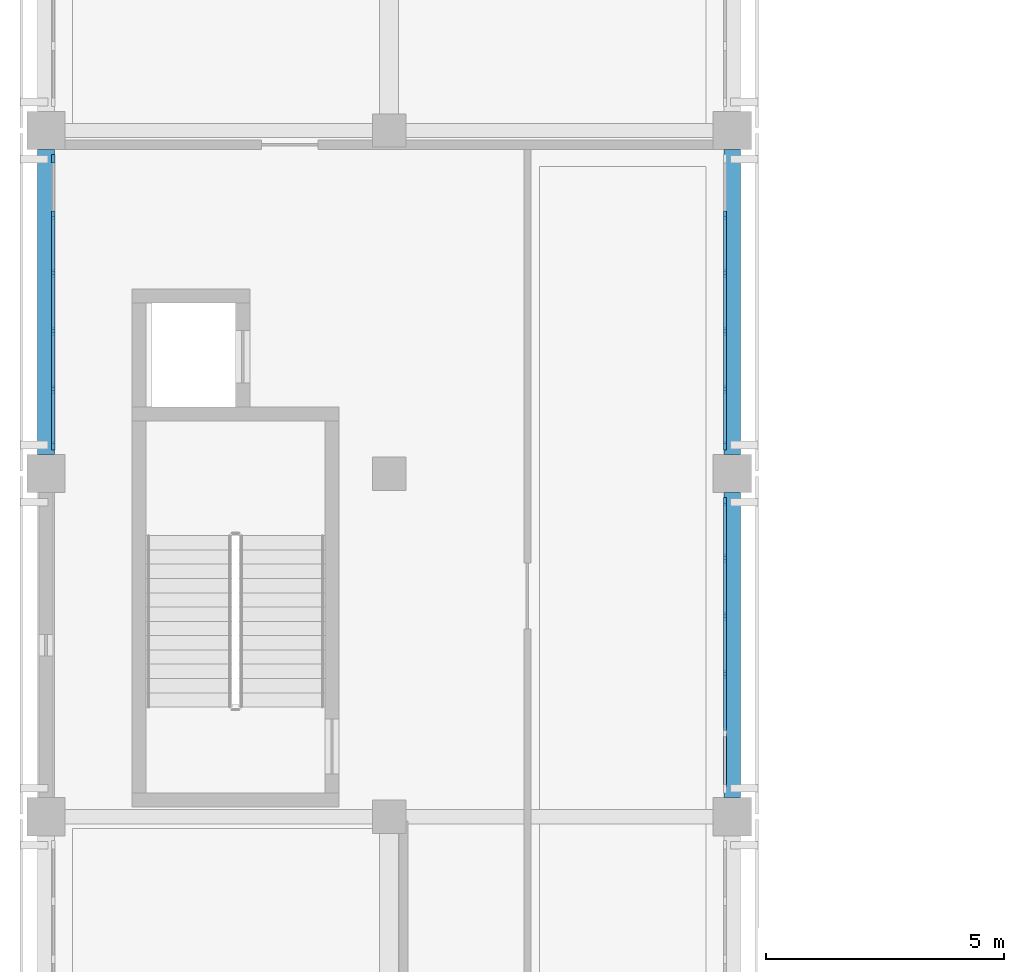
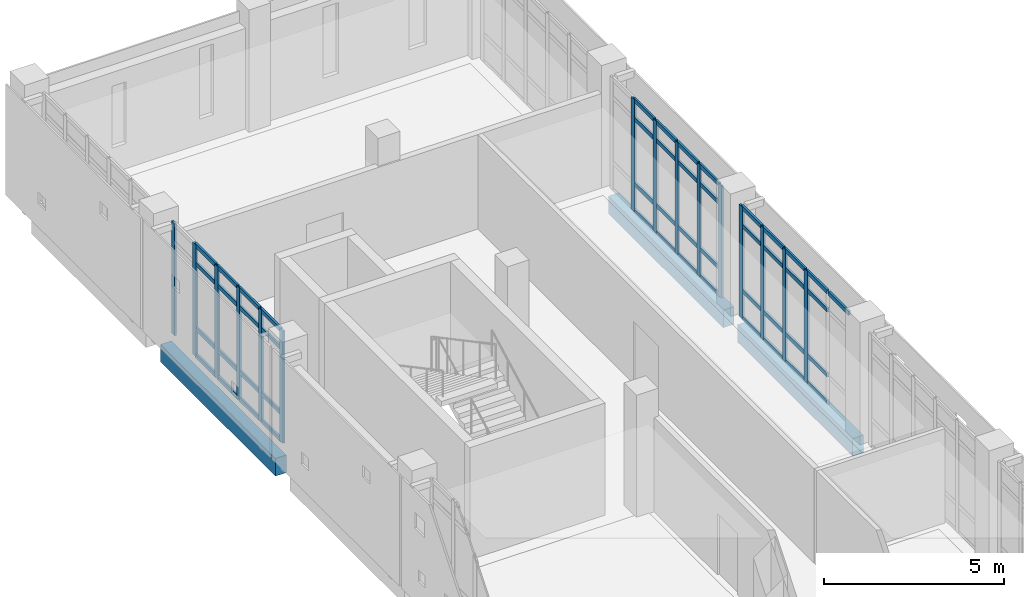
# One storey, part 13 of 33: 64 members, 3 beams, 3 elements without a shape of their own.
"""IFC4 building model written with IfcOpenShell, lengths in metres."""

from ifc_helpers import new_model, si_unit, direction, frame, origin, origin_2d, place, context, subcontext, project, spatial, rectangle, extrude, material, layer, layer_set, material_profile, profile_set, type_object, element, aggregate, save


model = new_model("IFC4")

# Units and contexts
model_context = context("Model", 3, precision=1e-05, world=origin(), true_north=direction((0.0, 1.0)))
body_context = subcontext(model_context, "Body", "Model", "MODEL_VIEW")
ifc_project = project(units=[si_unit("LENGTHUNIT", "METRE"), si_unit("AREAUNIT", "SQUARE_METRE"), si_unit("VOLUMEUNIT", "CUBIC_METRE"), si_unit("PLANEANGLEUNIT", "RADIAN"), si_unit("MASSUNIT", "GRAM", prefix="KILO")], contexts=[model_context])

# Site, building, storey
site_placement = place(None, origin())
site = spatial("IfcSite", under=ifc_project, at=site_placement, CompositionType="ELEMENT")
building_placement = place(site_placement, origin())
building = spatial("IfcBuilding", under=site, at=building_placement, Name="Valkovuoma Quantum and Materials Research Institute", CompositionType="ELEMENT")
storey_placement = place(building_placement, frame((0.0, 0.0, 25.60009765625)))
storey = spatial("IfcBuildingStorey", under=building, at=storey_placement, Name="L06", CompositionType="ELEMENT", Elevation=25.60009765625)

# Beams
ifc_material_1 = material(Name="Concrete C40/50", Category="concrete")
ifc_material_profile_1 = material_profile(ifc_material_1, rectangle(XDim=0.35009765625, YDim=0.60009765625, at=origin_2d()), Name="Concrete C40/50")
ifc_profile_set_1 = profile_set([ifc_material_profile_1], Name="Concrete C40/50")
beam_type = type_object("IfcBeamType", Name="Beam-B-SPN600", PredefinedType="SPANDREL", material=ifc_profile_set_1)
beam_1_placement = place(storey_placement, frame((0.0, 79.60009765625, -0.650146484375), z_axis=(0.0, 1.0, 0.0), x_axis=(-1.0, 0.0, 0.0)))
element("IfcBeam", 1, at=beam_1_placement, inside=storey, type_object=beam_type, Name="L06 beam Y-2387", PredefinedType="SPANDREL", context=body_context, shape_type="SweptSolid", body=[
    extrude(rectangle(XDim=0.35009765625, YDim=0.60009765625, at=origin_2d()), origin(), (0.0, 0.0, 1.0), 6.39990234375),
])
beam_2_placement = place(storey_placement, frame((14.39990234375, 72.39990234375, -0.650146484375), z_axis=(0.0, 1.0, 0.0), x_axis=(-1.0, 0.0, 0.0)))
element("IfcBeam", 2, at=beam_2_placement, inside=storey, type_object=beam_type, Name="L06 beam Y-2394", PredefinedType="SPANDREL", context=body_context, shape_type="SweptSolid", body=[
    extrude(rectangle(XDim=0.35009765625, YDim=0.60009765625, at=origin_2d()), origin(), (0.0, 0.0, 1.0), 6.400146484375),
])
beam_3_placement = place(storey_placement, frame((14.39990234375, 79.60009765625, -0.650146484375), z_axis=(0.0, 1.0, 0.0), x_axis=(-1.0, 0.0, 0.0)))
element("IfcBeam", 3, at=beam_3_placement, inside=storey, type_object=beam_type, Name="L06 beam Y-2395", PredefinedType="SPANDREL", context=body_context, shape_type="SweptSolid", body=[
    extrude(rectangle(XDim=0.35009765625, YDim=0.60009765625, at=origin_2d()), origin(), (0.0, 0.0, 1.0), 6.39990234375),
])

# Curtain wall, members
ifc_material_2 = material(Name="Thermally broken aluminium and triple low-E glazing", Category="aluminium")
ifc_layer = layer(ifc_material_2, 0.219970703125)
ifc_layer_set = layer_set([ifc_layer], Name="Thermally broken aluminium and triple low-E glazing")
curtain_wall_type = type_object("IfcCurtainWallType", Name="CW-CW-01", PredefinedType="NOTDEFINED", material=ifc_layer_set)
curtain_wall_1_placement = place(storey_placement, origin())
curtain_wall_1 = element("IfcCurtainWall", 4, at=curtain_wall_1_placement, inside=storey, type_object=curtain_wall_type, Name="L06 curtain wall 086", PredefinedType="NOTDEFINED")
ifc_material_3 = material(Name="Anodised aluminium 6060-T66", Category="aluminium")
ifc_material_profile_2 = material_profile(ifc_material_3, rectangle(XDim=0.06494140625, YDim=0.179931640625, at=origin_2d()), Name="Anodised aluminium 6060-T66")
ifc_profile_set_2 = profile_set([ifc_material_profile_2], Name="Anodised aluminium 6060-T66")
member_type_1 = type_object("IfcMemberType", Name="CWMull-CWM-01", PredefinedType="MULLION", material=ifc_profile_set_2)
member_1_placement = place(storey_placement, frame((14.25, 74.991455078125, 0.0), z_axis=(0.0, 0.0, 1.0), x_axis=(-1.0, 0.0, 0.0)))
member_1 = element("IfcMember", 5, at=member_1_placement, type_object=member_type_1, Name="CW-01 mullion 3", PredefinedType="MULLION", context=body_context, shape_type="SweptSolid", body=[
    extrude(rectangle(XDim=0.06494140625, YDim=0.179931640625, at=origin_2d()), origin(), (0.0, 0.0, 1.0), 3.809814453125),
])
member_2_placement = place(storey_placement, frame((14.25, 76.20849609375, 0.0), z_axis=(0.0, 0.0, 1.0), x_axis=(-1.0, 0.0, 0.0)))
member_2 = element("IfcMember", 6, at=member_2_placement, type_object=member_type_1, Name="CW-01 mullion 4", PredefinedType="MULLION", context=body_context, shape_type="SweptSolid", body=[
    extrude(rectangle(XDim=0.06494140625, YDim=0.179931640625, at=origin_2d()), origin(), (0.0, 0.0, 1.0), 3.809814453125),
])
member_3_placement = place(storey_placement, frame((14.25, 77.42578125, 0.0), z_axis=(0.0, 0.0, 1.0), x_axis=(-1.0, 0.0, 0.0)))
member_3 = element("IfcMember", 7, at=member_3_placement, type_object=member_type_1, Name="CW-01 mullion 5", PredefinedType="MULLION", context=body_context, shape_type="SweptSolid", body=[
    extrude(rectangle(XDim=0.06494140625, YDim=0.179931640625, at=origin_2d()), origin(), (0.0, 0.0, 1.0), 3.809814453125),
])
member_4_placement = place(storey_placement, frame((14.25, 78.6103515625, 0.0), z_axis=(0.0, 0.0, 1.0), x_axis=(-1.0, 0.0, 0.0)))
member_4 = element("IfcMember", 8, at=member_4_placement, type_object=member_type_1, Name="CW-01 mullion 6", PredefinedType="MULLION", context=body_context, shape_type="SweptSolid", body=[
    extrude(rectangle(XDim=0.06494140625, YDim=0.179931640625, at=origin_2d()), origin(), (0.0, 0.0, 1.0), 3.809814453125),
])

curtain_wall_2_placement = place(storey_placement, origin())
curtain_wall_2 = element("IfcCurtainWall", 9, at=curtain_wall_2_placement, inside=storey, type_object=curtain_wall_type, Name="L06 curtain wall 087", PredefinedType="NOTDEFINED")
member_5_placement = place(storey_placement, frame((0.14990234375, 79.78955078125, 0.0), z_axis=(0.0, 0.0, 1.0), x_axis=(-1.0, 0.0, 0.0)))
member_5 = element("IfcMember", 10, at=member_5_placement, type_object=member_type_1, Name="CW-01 mullion 1", PredefinedType="MULLION", context=body_context, shape_type="SweptSolid", body=[
    extrude(rectangle(XDim=0.06494140625, YDim=0.179931640625, at=origin_2d()), origin(), (0.0, 0.0, 1.0), 3.809814453125),
])
member_6_placement = place(storey_placement, frame((0.14990234375, 80.974365234375, 0.0), z_axis=(0.0, 0.0, 1.0), x_axis=(-1.0, 0.0, 0.0)))
member_6 = element("IfcMember", 11, at=member_6_placement, type_object=member_type_1, Name="CW-01 mullion 2", PredefinedType="MULLION", context=body_context, shape_type="SweptSolid", body=[
    extrude(rectangle(XDim=0.06494140625, YDim=0.179931640625, at=origin_2d()), origin(), (0.0, 0.0, 1.0), 3.809814453125),
])
member_7_placement = place(storey_placement, frame((0.14990234375, 82.19140625, 0.0), z_axis=(0.0, 0.0, 1.0), x_axis=(-1.0, 0.0, 0.0)))
member_7 = element("IfcMember", 12, at=member_7_placement, type_object=member_type_1, Name="CW-01 mullion 3", PredefinedType="MULLION", context=body_context, shape_type="SweptSolid", body=[
    extrude(rectangle(XDim=0.06494140625, YDim=0.179931640625, at=origin_2d()), origin(), (0.0, 0.0, 1.0), 3.809814453125),
])
member_8_placement = place(storey_placement, frame((0.14990234375, 83.40869140625, 0.0), z_axis=(0.0, 0.0, 1.0), x_axis=(-1.0, 0.0, 0.0)))
member_8 = element("IfcMember", 13, at=member_8_placement, type_object=member_type_1, Name="CW-01 mullion 4", PredefinedType="MULLION", context=body_context, shape_type="SweptSolid", body=[
    extrude(rectangle(XDim=0.06494140625, YDim=0.179931640625, at=origin_2d()), origin(), (0.0, 0.0, 1.0), 3.809814453125),
])
member_9_placement = place(storey_placement, frame((0.14990234375, 84.625732421875, 0.0), z_axis=(0.0, 0.0, 1.0), x_axis=(-1.0, 0.0, 0.0)))
member_9 = element("IfcMember", 14, at=member_9_placement, type_object=member_type_1, Name="CW-01 mullion 5", PredefinedType="MULLION", context=body_context, shape_type="SweptSolid", body=[
    extrude(rectangle(XDim=0.06494140625, YDim=0.179931640625, at=origin_2d()), origin(), (0.0, 0.0, 1.0), 3.809814453125),
])
member_10_placement = place(storey_placement, frame((0.14990234375, 85.810302734375, 0.0), z_axis=(0.0, 0.0, 1.0), x_axis=(-1.0, 0.0, 0.0)))
member_10 = element("IfcMember", 15, at=member_10_placement, type_object=member_type_1, Name="CW-01 mullion 6", PredefinedType="MULLION", context=body_context, shape_type="SweptSolid", body=[
    extrude(rectangle(XDim=0.06494140625, YDim=0.179931640625, at=origin_2d()), origin(), (0.0, 0.0, 1.0), 3.809814453125),
])

curtain_wall_3_placement = place(storey_placement, origin())
curtain_wall_3 = element("IfcCurtainWall", 16, at=curtain_wall_3_placement, inside=storey, type_object=curtain_wall_type, Name="L06 curtain wall 088", PredefinedType="NOTDEFINED")
member_11_placement = place(storey_placement, frame((14.25, 79.78955078125, 0.0), z_axis=(0.0, 0.0, 1.0), x_axis=(-1.0, 0.0, 0.0)))
member_11 = element("IfcMember", 17, at=member_11_placement, type_object=member_type_1, Name="CW-01 mullion 1", PredefinedType="MULLION", context=body_context, shape_type="SweptSolid", body=[
    extrude(rectangle(XDim=0.06494140625, YDim=0.179931640625, at=origin_2d()), origin(), (0.0, 0.0, 1.0), 3.809814453125),
])
member_12_placement = place(storey_placement, frame((14.25, 80.974365234375, 0.0), z_axis=(0.0, 0.0, 1.0), x_axis=(-1.0, 0.0, 0.0)))
member_12 = element("IfcMember", 18, at=member_12_placement, type_object=member_type_1, Name="CW-01 mullion 2", PredefinedType="MULLION", context=body_context, shape_type="SweptSolid", body=[
    extrude(rectangle(XDim=0.06494140625, YDim=0.179931640625, at=origin_2d()), origin(), (0.0, 0.0, 1.0), 3.809814453125),
])
member_13_placement = place(storey_placement, frame((14.25, 82.19140625, 0.0), z_axis=(0.0, 0.0, 1.0), x_axis=(-1.0, 0.0, 0.0)))
member_13 = element("IfcMember", 19, at=member_13_placement, type_object=member_type_1, Name="CW-01 mullion 3", PredefinedType="MULLION", context=body_context, shape_type="SweptSolid", body=[
    extrude(rectangle(XDim=0.06494140625, YDim=0.179931640625, at=origin_2d()), origin(), (0.0, 0.0, 1.0), 3.809814453125),
])
member_14_placement = place(storey_placement, frame((14.25, 83.40869140625, 0.0), z_axis=(0.0, 0.0, 1.0), x_axis=(-1.0, 0.0, 0.0)))
member_14 = element("IfcMember", 20, at=member_14_placement, type_object=member_type_1, Name="CW-01 mullion 4", PredefinedType="MULLION", context=body_context, shape_type="SweptSolid", body=[
    extrude(rectangle(XDim=0.06494140625, YDim=0.179931640625, at=origin_2d()), origin(), (0.0, 0.0, 1.0), 3.809814453125),
])
member_15_placement = place(storey_placement, frame((14.25, 84.625732421875, 0.0), z_axis=(0.0, 0.0, 1.0), x_axis=(-1.0, 0.0, 0.0)))
member_15 = element("IfcMember", 21, at=member_15_placement, type_object=member_type_1, Name="CW-01 mullion 5", PredefinedType="MULLION", context=body_context, shape_type="SweptSolid", body=[
    extrude(rectangle(XDim=0.06494140625, YDim=0.179931640625, at=origin_2d()), origin(), (0.0, 0.0, 1.0), 3.809814453125),
])

# Member
ifc_material_4 = material(Name="Anodised aluminium 6060-T66", Category="aluminium")
ifc_material_profile_3 = material_profile(ifc_material_4, rectangle(XDim=0.06494140625, YDim=0.139892578125, at=origin_2d()), Name="Anodised aluminium 6060-T66")
ifc_profile_set_3 = profile_set([ifc_material_profile_3], Name="Anodised aluminium 6060-T66")
member_type_2 = type_object("IfcMemberType", Name="CWTran-CWT-01", PredefinedType="USERDEFINED", material=ifc_profile_set_3)
member_16_placement = place(storey_placement, frame((14.25, 72.6220703125, 3.77734375), z_axis=(0.0, 1.0, 0.0), x_axis=(-1.0, 0.0, 0.0)))
member_16 = element("IfcMember", 22, at=member_16_placement, type_object=member_type_2, Name="CW-01 transom 1.4", ObjectType="TRANSOM", PredefinedType="USERDEFINED", context=body_context, shape_type="SweptSolid", body=[
    extrude(rectangle(XDim=0.06494140625, YDim=0.139892578125, at=origin_2d()), origin(), (0.0, 0.0, 1.0), 1.11962890625),
])

member_17_placement = place(storey_placement, frame((14.25, 73.806640625, 0.032470703125), z_axis=(0.0, 1.0, 0.0), x_axis=(-1.0, 0.0, 0.0)))
member_17 = element("IfcMember", 23, at=member_17_placement, type_object=member_type_2, Name="CW-01 transom 2.1", ObjectType="TRANSOM", PredefinedType="USERDEFINED", context=body_context, shape_type="SweptSolid", body=[
    extrude(rectangle(XDim=0.06494140625, YDim=0.139892578125, at=origin_2d()), origin(), (0.0, 0.0, 1.0), 1.15234375),
])

member_18_placement = place(storey_placement, frame((14.25, 73.806640625, 0.949951171875), z_axis=(0.0, 1.0, 0.0), x_axis=(-1.0, 0.0, 0.0)))
member_18 = element("IfcMember", 24, at=member_18_placement, type_object=member_type_2, Name="CW-01 transom 2.2", ObjectType="TRANSOM", PredefinedType="USERDEFINED", context=body_context, shape_type="SweptSolid", body=[
    extrude(rectangle(XDim=0.06494140625, YDim=0.139892578125, at=origin_2d()), origin(), (0.0, 0.0, 1.0), 1.15234375),
])

member_19_placement = place(storey_placement, frame((14.25, 73.806640625, 3.159912109375), z_axis=(0.0, 1.0, 0.0), x_axis=(-1.0, 0.0, 0.0)))
member_19 = element("IfcMember", 25, at=member_19_placement, type_object=member_type_2, Name="CW-01 transom 2.3", ObjectType="TRANSOM", PredefinedType="USERDEFINED", context=body_context, shape_type="SweptSolid", body=[
    extrude(rectangle(XDim=0.06494140625, YDim=0.139892578125, at=origin_2d()), origin(), (0.0, 0.0, 1.0), 1.15234375),
])

member_20_placement = place(storey_placement, frame((14.25, 73.806640625, 3.77734375), z_axis=(0.0, 1.0, 0.0), x_axis=(-1.0, 0.0, 0.0)))
member_20 = element("IfcMember", 26, at=member_20_placement, type_object=member_type_2, Name="CW-01 transom 2.4", ObjectType="TRANSOM", PredefinedType="USERDEFINED", context=body_context, shape_type="SweptSolid", body=[
    extrude(rectangle(XDim=0.06494140625, YDim=0.139892578125, at=origin_2d()), origin(), (0.0, 0.0, 1.0), 1.15234375),
])

member_21_placement = place(storey_placement, frame((14.25, 75.02392578125, 0.032470703125), z_axis=(0.0, 1.0, 0.0), x_axis=(-1.0, 0.0, 0.0)))
member_21 = element("IfcMember", 27, at=member_21_placement, type_object=member_type_2, Name="CW-01 transom 3.1", ObjectType="TRANSOM", PredefinedType="USERDEFINED", context=body_context, shape_type="SweptSolid", body=[
    extrude(rectangle(XDim=0.06494140625, YDim=0.139892578125, at=origin_2d()), origin(), (0.0, 0.0, 1.0), 1.152099609375),
])

member_22_placement = place(storey_placement, frame((14.25, 75.02392578125, 0.949951171875), z_axis=(0.0, 1.0, 0.0), x_axis=(-1.0, 0.0, 0.0)))
member_22 = element("IfcMember", 28, at=member_22_placement, type_object=member_type_2, Name="CW-01 transom 3.2", ObjectType="TRANSOM", PredefinedType="USERDEFINED", context=body_context, shape_type="SweptSolid", body=[
    extrude(rectangle(XDim=0.06494140625, YDim=0.139892578125, at=origin_2d()), origin(), (0.0, 0.0, 1.0), 1.152099609375),
])

member_23_placement = place(storey_placement, frame((14.25, 75.02392578125, 3.159912109375), z_axis=(0.0, 1.0, 0.0), x_axis=(-1.0, 0.0, 0.0)))
member_23 = element("IfcMember", 29, at=member_23_placement, type_object=member_type_2, Name="CW-01 transom 3.3", ObjectType="TRANSOM", PredefinedType="USERDEFINED", context=body_context, shape_type="SweptSolid", body=[
    extrude(rectangle(XDim=0.06494140625, YDim=0.139892578125, at=origin_2d()), origin(), (0.0, 0.0, 1.0), 1.152099609375),
])

member_24_placement = place(storey_placement, frame((14.25, 75.02392578125, 3.77734375), z_axis=(0.0, 1.0, 0.0), x_axis=(-1.0, 0.0, 0.0)))
member_24 = element("IfcMember", 30, at=member_24_placement, type_object=member_type_2, Name="CW-01 transom 3.4", ObjectType="TRANSOM", PredefinedType="USERDEFINED", context=body_context, shape_type="SweptSolid", body=[
    extrude(rectangle(XDim=0.06494140625, YDim=0.139892578125, at=origin_2d()), origin(), (0.0, 0.0, 1.0), 1.152099609375),
])

member_25_placement = place(storey_placement, frame((14.25, 76.240966796875, 0.032470703125), z_axis=(0.0, 1.0, 0.0), x_axis=(-1.0, 0.0, 0.0)))
member_25 = element("IfcMember", 31, at=member_25_placement, type_object=member_type_2, Name="CW-01 transom 4.1", ObjectType="TRANSOM", PredefinedType="USERDEFINED", context=body_context, shape_type="SweptSolid", body=[
    extrude(rectangle(XDim=0.06494140625, YDim=0.139892578125, at=origin_2d()), origin(), (0.0, 0.0, 1.0), 1.15234375),
])

member_26_placement = place(storey_placement, frame((14.25, 76.240966796875, 0.949951171875), z_axis=(0.0, 1.0, 0.0), x_axis=(-1.0, 0.0, 0.0)))
member_26 = element("IfcMember", 32, at=member_26_placement, type_object=member_type_2, Name="CW-01 transom 4.2", ObjectType="TRANSOM", PredefinedType="USERDEFINED", context=body_context, shape_type="SweptSolid", body=[
    extrude(rectangle(XDim=0.06494140625, YDim=0.139892578125, at=origin_2d()), origin(), (0.0, 0.0, 1.0), 1.15234375),
])

member_27_placement = place(storey_placement, frame((14.25, 76.240966796875, 3.159912109375), z_axis=(0.0, 1.0, 0.0), x_axis=(-1.0, 0.0, 0.0)))
member_27 = element("IfcMember", 33, at=member_27_placement, type_object=member_type_2, Name="CW-01 transom 4.3", ObjectType="TRANSOM", PredefinedType="USERDEFINED", context=body_context, shape_type="SweptSolid", body=[
    extrude(rectangle(XDim=0.06494140625, YDim=0.139892578125, at=origin_2d()), origin(), (0.0, 0.0, 1.0), 1.15234375),
])

member_28_placement = place(storey_placement, frame((14.25, 76.240966796875, 3.77734375), z_axis=(0.0, 1.0, 0.0), x_axis=(-1.0, 0.0, 0.0)))
member_28 = element("IfcMember", 34, at=member_28_placement, type_object=member_type_2, Name="CW-01 transom 4.4", ObjectType="TRANSOM", PredefinedType="USERDEFINED", context=body_context, shape_type="SweptSolid", body=[
    extrude(rectangle(XDim=0.06494140625, YDim=0.139892578125, at=origin_2d()), origin(), (0.0, 0.0, 1.0), 1.15234375),
])

member_29_placement = place(storey_placement, frame((14.25, 77.458251953125, 0.032470703125), z_axis=(0.0, 1.0, 0.0), x_axis=(-1.0, 0.0, 0.0)))
member_29 = element("IfcMember", 35, at=member_29_placement, type_object=member_type_2, Name="CW-01 transom 5.1", ObjectType="TRANSOM", PredefinedType="USERDEFINED", context=body_context, shape_type="SweptSolid", body=[
    extrude(rectangle(XDim=0.06494140625, YDim=0.139892578125, at=origin_2d()), origin(), (0.0, 0.0, 1.0), 1.11962890625),
])

member_30_placement = place(storey_placement, frame((14.25, 77.458251953125, 0.949951171875), z_axis=(0.0, 1.0, 0.0), x_axis=(-1.0, 0.0, 0.0)))
member_30 = element("IfcMember", 36, at=member_30_placement, type_object=member_type_2, Name="CW-01 transom 5.2", ObjectType="TRANSOM", PredefinedType="USERDEFINED", context=body_context, shape_type="SweptSolid", body=[
    extrude(rectangle(XDim=0.06494140625, YDim=0.139892578125, at=origin_2d()), origin(), (0.0, 0.0, 1.0), 1.11962890625),
])

member_31_placement = place(storey_placement, frame((14.25, 77.458251953125, 3.159912109375), z_axis=(0.0, 1.0, 0.0), x_axis=(-1.0, 0.0, 0.0)))
member_31 = element("IfcMember", 37, at=member_31_placement, type_object=member_type_2, Name="CW-01 transom 5.3", ObjectType="TRANSOM", PredefinedType="USERDEFINED", context=body_context, shape_type="SweptSolid", body=[
    extrude(rectangle(XDim=0.06494140625, YDim=0.139892578125, at=origin_2d()), origin(), (0.0, 0.0, 1.0), 1.11962890625),
])

member_32_placement = place(storey_placement, frame((14.25, 77.458251953125, 3.77734375), z_axis=(0.0, 1.0, 0.0), x_axis=(-1.0, 0.0, 0.0)))
member_32 = element("IfcMember", 38, at=member_32_placement, type_object=member_type_2, Name="CW-01 transom 5.4", ObjectType="TRANSOM", PredefinedType="USERDEFINED", context=body_context, shape_type="SweptSolid", body=[
    extrude(rectangle(XDim=0.06494140625, YDim=0.139892578125, at=origin_2d()), origin(), (0.0, 0.0, 1.0), 1.11962890625),
])

aggregate(curtain_wall_1, [member_1, member_2, member_3, member_4, member_16, member_17, member_18, member_19, member_20, member_21, member_22, member_23, member_24, member_25, member_26, member_27, member_28, member_29, member_30, member_31, member_32])

member_33_placement = place(storey_placement, frame((0.14990234375, 79.822021484375, 0.032470703125), z_axis=(0.0, 1.0, 0.0), x_axis=(-1.0, 0.0, 0.0)))
member_33 = element("IfcMember", 39, at=member_33_placement, type_object=member_type_2, Name="CW-01 transom 1.1", ObjectType="TRANSOM", PredefinedType="USERDEFINED", context=body_context, shape_type="SweptSolid", body=[
    extrude(rectangle(XDim=0.06494140625, YDim=0.139892578125, at=origin_2d()), origin(), (0.0, 0.0, 1.0), 1.11962890625),
])

member_34_placement = place(storey_placement, frame((0.14990234375, 79.822021484375, 0.949951171875), z_axis=(0.0, 1.0, 0.0), x_axis=(-1.0, 0.0, 0.0)))
member_34 = element("IfcMember", 40, at=member_34_placement, type_object=member_type_2, Name="CW-01 transom 1.2", ObjectType="TRANSOM", PredefinedType="USERDEFINED", context=body_context, shape_type="SweptSolid", body=[
    extrude(rectangle(XDim=0.06494140625, YDim=0.139892578125, at=origin_2d()), origin(), (0.0, 0.0, 1.0), 1.11962890625),
])

member_35_placement = place(storey_placement, frame((0.14990234375, 79.822021484375, 3.159912109375), z_axis=(0.0, 1.0, 0.0), x_axis=(-1.0, 0.0, 0.0)))
member_35 = element("IfcMember", 41, at=member_35_placement, type_object=member_type_2, Name="CW-01 transom 1.3", ObjectType="TRANSOM", PredefinedType="USERDEFINED", context=body_context, shape_type="SweptSolid", body=[
    extrude(rectangle(XDim=0.06494140625, YDim=0.139892578125, at=origin_2d()), origin(), (0.0, 0.0, 1.0), 1.11962890625),
])

member_36_placement = place(storey_placement, frame((0.14990234375, 79.822021484375, 3.77734375), z_axis=(0.0, 1.0, 0.0), x_axis=(-1.0, 0.0, 0.0)))
member_36 = element("IfcMember", 42, at=member_36_placement, type_object=member_type_2, Name="CW-01 transom 1.4", ObjectType="TRANSOM", PredefinedType="USERDEFINED", context=body_context, shape_type="SweptSolid", body=[
    extrude(rectangle(XDim=0.06494140625, YDim=0.139892578125, at=origin_2d()), origin(), (0.0, 0.0, 1.0), 1.11962890625),
])

member_37_placement = place(storey_placement, frame((0.14990234375, 81.0068359375, 0.032470703125), z_axis=(0.0, 1.0, 0.0), x_axis=(-1.0, 0.0, 0.0)))
member_37 = element("IfcMember", 43, at=member_37_placement, type_object=member_type_2, Name="CW-01 transom 2.1", ObjectType="TRANSOM", PredefinedType="USERDEFINED", context=body_context, shape_type="SweptSolid", body=[
    extrude(rectangle(XDim=0.06494140625, YDim=0.139892578125, at=origin_2d()), origin(), (0.0, 0.0, 1.0), 1.152099609375),
])

member_38_placement = place(storey_placement, frame((0.14990234375, 81.0068359375, 0.949951171875), z_axis=(0.0, 1.0, 0.0), x_axis=(-1.0, 0.0, 0.0)))
member_38 = element("IfcMember", 44, at=member_38_placement, type_object=member_type_2, Name="CW-01 transom 2.2", ObjectType="TRANSOM", PredefinedType="USERDEFINED", context=body_context, shape_type="SweptSolid", body=[
    extrude(rectangle(XDim=0.06494140625, YDim=0.139892578125, at=origin_2d()), origin(), (0.0, 0.0, 1.0), 1.152099609375),
])

member_39_placement = place(storey_placement, frame((0.14990234375, 81.0068359375, 3.159912109375), z_axis=(0.0, 1.0, 0.0), x_axis=(-1.0, 0.0, 0.0)))
member_39 = element("IfcMember", 45, at=member_39_placement, type_object=member_type_2, Name="CW-01 transom 2.3", ObjectType="TRANSOM", PredefinedType="USERDEFINED", context=body_context, shape_type="SweptSolid", body=[
    extrude(rectangle(XDim=0.06494140625, YDim=0.139892578125, at=origin_2d()), origin(), (0.0, 0.0, 1.0), 1.152099609375),
])

member_40_placement = place(storey_placement, frame((0.14990234375, 81.0068359375, 3.77734375), z_axis=(0.0, 1.0, 0.0), x_axis=(-1.0, 0.0, 0.0)))
member_40 = element("IfcMember", 46, at=member_40_placement, type_object=member_type_2, Name="CW-01 transom 2.4", ObjectType="TRANSOM", PredefinedType="USERDEFINED", context=body_context, shape_type="SweptSolid", body=[
    extrude(rectangle(XDim=0.06494140625, YDim=0.139892578125, at=origin_2d()), origin(), (0.0, 0.0, 1.0), 1.152099609375),
])

member_41_placement = place(storey_placement, frame((0.14990234375, 82.223876953125, 0.032470703125), z_axis=(0.0, 1.0, 0.0), x_axis=(-1.0, 0.0, 0.0)))
member_41 = element("IfcMember", 47, at=member_41_placement, type_object=member_type_2, Name="CW-01 transom 3.1", ObjectType="TRANSOM", PredefinedType="USERDEFINED", context=body_context, shape_type="SweptSolid", body=[
    extrude(rectangle(XDim=0.06494140625, YDim=0.139892578125, at=origin_2d()), origin(), (0.0, 0.0, 1.0), 1.152099609375),
])

member_42_placement = place(storey_placement, frame((0.14990234375, 82.223876953125, 0.949951171875), z_axis=(0.0, 1.0, 0.0), x_axis=(-1.0, 0.0, 0.0)))
member_42 = element("IfcMember", 48, at=member_42_placement, type_object=member_type_2, Name="CW-01 transom 3.2", ObjectType="TRANSOM", PredefinedType="USERDEFINED", context=body_context, shape_type="SweptSolid", body=[
    extrude(rectangle(XDim=0.06494140625, YDim=0.139892578125, at=origin_2d()), origin(), (0.0, 0.0, 1.0), 1.152099609375),
])

member_43_placement = place(storey_placement, frame((0.14990234375, 82.223876953125, 3.159912109375), z_axis=(0.0, 1.0, 0.0), x_axis=(-1.0, 0.0, 0.0)))
member_43 = element("IfcMember", 49, at=member_43_placement, type_object=member_type_2, Name="CW-01 transom 3.3", ObjectType="TRANSOM", PredefinedType="USERDEFINED", context=body_context, shape_type="SweptSolid", body=[
    extrude(rectangle(XDim=0.06494140625, YDim=0.139892578125, at=origin_2d()), origin(), (0.0, 0.0, 1.0), 1.152099609375),
])

member_44_placement = place(storey_placement, frame((0.14990234375, 82.223876953125, 3.77734375), z_axis=(0.0, 1.0, 0.0), x_axis=(-1.0, 0.0, 0.0)))
member_44 = element("IfcMember", 50, at=member_44_placement, type_object=member_type_2, Name="CW-01 transom 3.4", ObjectType="TRANSOM", PredefinedType="USERDEFINED", context=body_context, shape_type="SweptSolid", body=[
    extrude(rectangle(XDim=0.06494140625, YDim=0.139892578125, at=origin_2d()), origin(), (0.0, 0.0, 1.0), 1.152099609375),
])

member_45_placement = place(storey_placement, frame((0.14990234375, 83.441162109375, 0.032470703125), z_axis=(0.0, 1.0, 0.0), x_axis=(-1.0, 0.0, 0.0)))
member_45 = element("IfcMember", 51, at=member_45_placement, type_object=member_type_2, Name="CW-01 transom 4.1", ObjectType="TRANSOM", PredefinedType="USERDEFINED", context=body_context, shape_type="SweptSolid", body=[
    extrude(rectangle(XDim=0.06494140625, YDim=0.139892578125, at=origin_2d()), origin(), (0.0, 0.0, 1.0), 1.152099609375),
])

member_46_placement = place(storey_placement, frame((0.14990234375, 83.441162109375, 0.949951171875), z_axis=(0.0, 1.0, 0.0), x_axis=(-1.0, 0.0, 0.0)))
member_46 = element("IfcMember", 52, at=member_46_placement, type_object=member_type_2, Name="CW-01 transom 4.2", ObjectType="TRANSOM", PredefinedType="USERDEFINED", context=body_context, shape_type="SweptSolid", body=[
    extrude(rectangle(XDim=0.06494140625, YDim=0.139892578125, at=origin_2d()), origin(), (0.0, 0.0, 1.0), 1.152099609375),
])

member_47_placement = place(storey_placement, frame((0.14990234375, 83.441162109375, 3.159912109375), z_axis=(0.0, 1.0, 0.0), x_axis=(-1.0, 0.0, 0.0)))
member_47 = element("IfcMember", 53, at=member_47_placement, type_object=member_type_2, Name="CW-01 transom 4.3", ObjectType="TRANSOM", PredefinedType="USERDEFINED", context=body_context, shape_type="SweptSolid", body=[
    extrude(rectangle(XDim=0.06494140625, YDim=0.139892578125, at=origin_2d()), origin(), (0.0, 0.0, 1.0), 1.152099609375),
])

member_48_placement = place(storey_placement, frame((0.14990234375, 83.441162109375, 3.77734375), z_axis=(0.0, 1.0, 0.0), x_axis=(-1.0, 0.0, 0.0)))
member_48 = element("IfcMember", 54, at=member_48_placement, type_object=member_type_2, Name="CW-01 transom 4.4", ObjectType="TRANSOM", PredefinedType="USERDEFINED", context=body_context, shape_type="SweptSolid", body=[
    extrude(rectangle(XDim=0.06494140625, YDim=0.139892578125, at=origin_2d()), origin(), (0.0, 0.0, 1.0), 1.152099609375),
])

aggregate(curtain_wall_2, [member_5, member_6, member_7, member_8, member_9, member_10, member_33, member_34, member_35, member_36, member_37, member_38, member_39, member_40, member_41, member_42, member_43, member_44, member_45, member_46, member_47, member_48])

member_49_placement = place(storey_placement, frame((14.25, 79.822021484375, 0.032470703125), z_axis=(0.0, 1.0, 0.0), x_axis=(-1.0, 0.0, 0.0)))
member_49 = element("IfcMember", 55, at=member_49_placement, type_object=member_type_2, Name="CW-01 transom 1.1", ObjectType="TRANSOM", PredefinedType="USERDEFINED", context=body_context, shape_type="SweptSolid", body=[
    extrude(rectangle(XDim=0.06494140625, YDim=0.139892578125, at=origin_2d()), origin(), (0.0, 0.0, 1.0), 1.11962890625),
])

member_50_placement = place(storey_placement, frame((14.25, 79.822021484375, 0.949951171875), z_axis=(0.0, 1.0, 0.0), x_axis=(-1.0, 0.0, 0.0)))
member_50 = element("IfcMember", 56, at=member_50_placement, type_object=member_type_2, Name="CW-01 transom 1.2", ObjectType="TRANSOM", PredefinedType="USERDEFINED", context=body_context, shape_type="SweptSolid", body=[
    extrude(rectangle(XDim=0.06494140625, YDim=0.139892578125, at=origin_2d()), origin(), (0.0, 0.0, 1.0), 1.11962890625),
])

member_51_placement = place(storey_placement, frame((14.25, 79.822021484375, 3.159912109375), z_axis=(0.0, 1.0, 0.0), x_axis=(-1.0, 0.0, 0.0)))
member_51 = element("IfcMember", 57, at=member_51_placement, type_object=member_type_2, Name="CW-01 transom 1.3", ObjectType="TRANSOM", PredefinedType="USERDEFINED", context=body_context, shape_type="SweptSolid", body=[
    extrude(rectangle(XDim=0.06494140625, YDim=0.139892578125, at=origin_2d()), origin(), (0.0, 0.0, 1.0), 1.11962890625),
])

member_52_placement = place(storey_placement, frame((14.25, 79.822021484375, 3.77734375), z_axis=(0.0, 1.0, 0.0), x_axis=(-1.0, 0.0, 0.0)))
member_52 = element("IfcMember", 58, at=member_52_placement, type_object=member_type_2, Name="CW-01 transom 1.4", ObjectType="TRANSOM", PredefinedType="USERDEFINED", context=body_context, shape_type="SweptSolid", body=[
    extrude(rectangle(XDim=0.06494140625, YDim=0.139892578125, at=origin_2d()), origin(), (0.0, 0.0, 1.0), 1.11962890625),
])

member_53_placement = place(storey_placement, frame((14.25, 81.0068359375, 0.032470703125), z_axis=(0.0, 1.0, 0.0), x_axis=(-1.0, 0.0, 0.0)))
member_53 = element("IfcMember", 59, at=member_53_placement, type_object=member_type_2, Name="CW-01 transom 2.1", ObjectType="TRANSOM", PredefinedType="USERDEFINED", context=body_context, shape_type="SweptSolid", body=[
    extrude(rectangle(XDim=0.06494140625, YDim=0.139892578125, at=origin_2d()), origin(), (0.0, 0.0, 1.0), 1.152099609375),
])

member_54_placement = place(storey_placement, frame((14.25, 81.0068359375, 0.949951171875), z_axis=(0.0, 1.0, 0.0), x_axis=(-1.0, 0.0, 0.0)))
member_54 = element("IfcMember", 60, at=member_54_placement, type_object=member_type_2, Name="CW-01 transom 2.2", ObjectType="TRANSOM", PredefinedType="USERDEFINED", context=body_context, shape_type="SweptSolid", body=[
    extrude(rectangle(XDim=0.06494140625, YDim=0.139892578125, at=origin_2d()), origin(), (0.0, 0.0, 1.0), 1.152099609375),
])

member_55_placement = place(storey_placement, frame((14.25, 81.0068359375, 3.159912109375), z_axis=(0.0, 1.0, 0.0), x_axis=(-1.0, 0.0, 0.0)))
member_55 = element("IfcMember", 61, at=member_55_placement, type_object=member_type_2, Name="CW-01 transom 2.3", ObjectType="TRANSOM", PredefinedType="USERDEFINED", context=body_context, shape_type="SweptSolid", body=[
    extrude(rectangle(XDim=0.06494140625, YDim=0.139892578125, at=origin_2d()), origin(), (0.0, 0.0, 1.0), 1.152099609375),
])

member_56_placement = place(storey_placement, frame((14.25, 81.0068359375, 3.77734375), z_axis=(0.0, 1.0, 0.0), x_axis=(-1.0, 0.0, 0.0)))
member_56 = element("IfcMember", 62, at=member_56_placement, type_object=member_type_2, Name="CW-01 transom 2.4", ObjectType="TRANSOM", PredefinedType="USERDEFINED", context=body_context, shape_type="SweptSolid", body=[
    extrude(rectangle(XDim=0.06494140625, YDim=0.139892578125, at=origin_2d()), origin(), (0.0, 0.0, 1.0), 1.152099609375),
])

member_57_placement = place(storey_placement, frame((14.25, 82.223876953125, 0.032470703125), z_axis=(0.0, 1.0, 0.0), x_axis=(-1.0, 0.0, 0.0)))
member_57 = element("IfcMember", 63, at=member_57_placement, type_object=member_type_2, Name="CW-01 transom 3.1", ObjectType="TRANSOM", PredefinedType="USERDEFINED", context=body_context, shape_type="SweptSolid", body=[
    extrude(rectangle(XDim=0.06494140625, YDim=0.139892578125, at=origin_2d()), origin(), (0.0, 0.0, 1.0), 1.152099609375),
])

member_58_placement = place(storey_placement, frame((14.25, 82.223876953125, 0.949951171875), z_axis=(0.0, 1.0, 0.0), x_axis=(-1.0, 0.0, 0.0)))
member_58 = element("IfcMember", 64, at=member_58_placement, type_object=member_type_2, Name="CW-01 transom 3.2", ObjectType="TRANSOM", PredefinedType="USERDEFINED", context=body_context, shape_type="SweptSolid", body=[
    extrude(rectangle(XDim=0.06494140625, YDim=0.139892578125, at=origin_2d()), origin(), (0.0, 0.0, 1.0), 1.152099609375),
])

member_59_placement = place(storey_placement, frame((14.25, 82.223876953125, 3.159912109375), z_axis=(0.0, 1.0, 0.0), x_axis=(-1.0, 0.0, 0.0)))
member_59 = element("IfcMember", 65, at=member_59_placement, type_object=member_type_2, Name="CW-01 transom 3.3", ObjectType="TRANSOM", PredefinedType="USERDEFINED", context=body_context, shape_type="SweptSolid", body=[
    extrude(rectangle(XDim=0.06494140625, YDim=0.139892578125, at=origin_2d()), origin(), (0.0, 0.0, 1.0), 1.152099609375),
])

member_60_placement = place(storey_placement, frame((14.25, 82.223876953125, 3.77734375), z_axis=(0.0, 1.0, 0.0), x_axis=(-1.0, 0.0, 0.0)))
member_60 = element("IfcMember", 66, at=member_60_placement, type_object=member_type_2, Name="CW-01 transom 3.4", ObjectType="TRANSOM", PredefinedType="USERDEFINED", context=body_context, shape_type="SweptSolid", body=[
    extrude(rectangle(XDim=0.06494140625, YDim=0.139892578125, at=origin_2d()), origin(), (0.0, 0.0, 1.0), 1.152099609375),
])

member_61_placement = place(storey_placement, frame((14.25, 83.441162109375, 0.032470703125), z_axis=(0.0, 1.0, 0.0), x_axis=(-1.0, 0.0, 0.0)))
member_61 = element("IfcMember", 67, at=member_61_placement, type_object=member_type_2, Name="CW-01 transom 4.1", ObjectType="TRANSOM", PredefinedType="USERDEFINED", context=body_context, shape_type="SweptSolid", body=[
    extrude(rectangle(XDim=0.06494140625, YDim=0.139892578125, at=origin_2d()), origin(), (0.0, 0.0, 1.0), 1.152099609375),
])

member_62_placement = place(storey_placement, frame((14.25, 83.441162109375, 0.949951171875), z_axis=(0.0, 1.0, 0.0), x_axis=(-1.0, 0.0, 0.0)))
member_62 = element("IfcMember", 68, at=member_62_placement, type_object=member_type_2, Name="CW-01 transom 4.2", ObjectType="TRANSOM", PredefinedType="USERDEFINED", context=body_context, shape_type="SweptSolid", body=[
    extrude(rectangle(XDim=0.06494140625, YDim=0.139892578125, at=origin_2d()), origin(), (0.0, 0.0, 1.0), 1.152099609375),
])

member_63_placement = place(storey_placement, frame((14.25, 83.441162109375, 3.159912109375), z_axis=(0.0, 1.0, 0.0), x_axis=(-1.0, 0.0, 0.0)))
member_63 = element("IfcMember", 69, at=member_63_placement, type_object=member_type_2, Name="CW-01 transom 4.3", ObjectType="TRANSOM", PredefinedType="USERDEFINED", context=body_context, shape_type="SweptSolid", body=[
    extrude(rectangle(XDim=0.06494140625, YDim=0.139892578125, at=origin_2d()), origin(), (0.0, 0.0, 1.0), 1.152099609375),
])

member_64_placement = place(storey_placement, frame((14.25, 83.441162109375, 3.77734375), z_axis=(0.0, 1.0, 0.0), x_axis=(-1.0, 0.0, 0.0)))
member_64 = element("IfcMember", 70, at=member_64_placement, type_object=member_type_2, Name="CW-01 transom 4.4", ObjectType="TRANSOM", PredefinedType="USERDEFINED", context=body_context, shape_type="SweptSolid", body=[
    extrude(rectangle(XDim=0.06494140625, YDim=0.139892578125, at=origin_2d()), origin(), (0.0, 0.0, 1.0), 1.152099609375),
])

aggregate(curtain_wall_3, [member_11, member_12, member_13, member_14, member_15, member_49, member_50, member_51, member_52, member_53, member_54, member_55, member_56, member_57, member_58, member_59, member_60, member_61, member_62, member_63, member_64])

save(model, "model.ifc")
